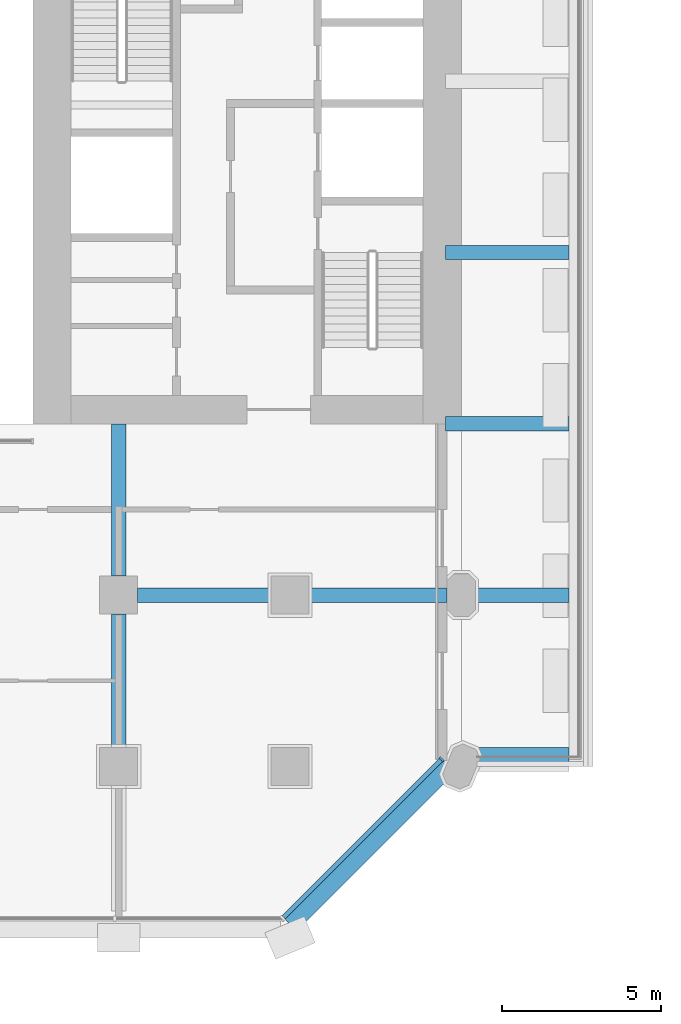
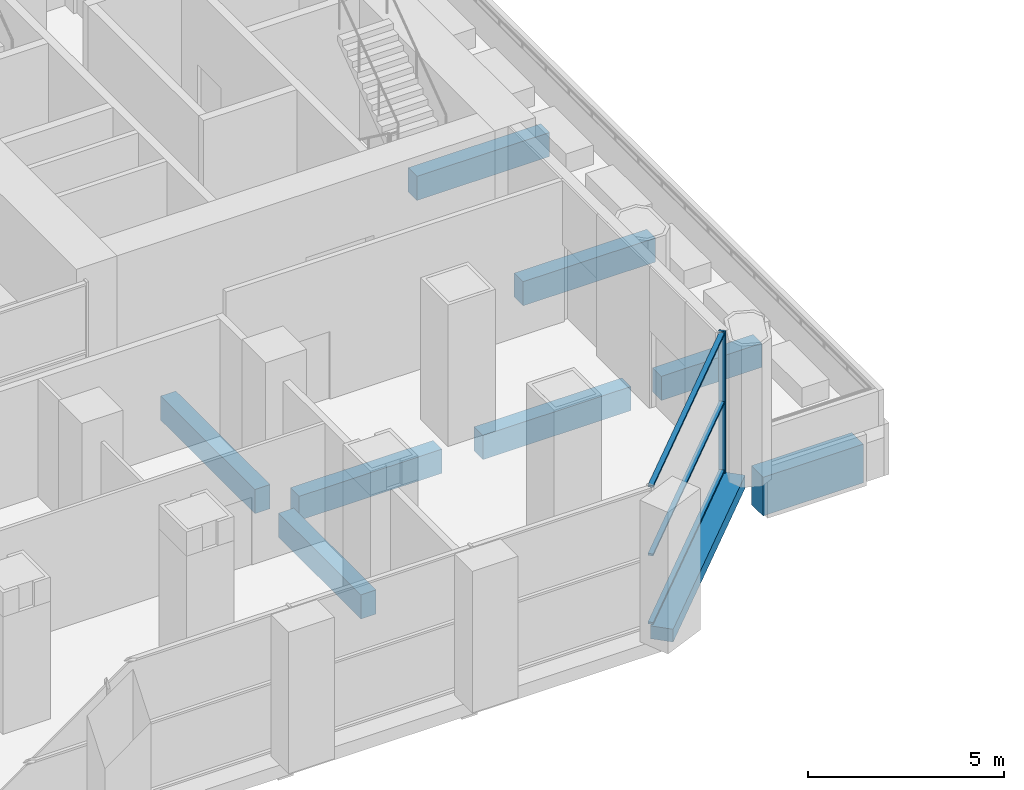
# One storey, part 6 of 42: 9 beams, 4 members, 1 element without a shape of its own.
"""IFC4 building model written with IfcOpenShell, lengths in metres."""

from ifc_helpers import new_model, si_unit, direction, frame, origin, origin_2d, place, context, subcontext, project, spatial, rectangle, extrude, material, material_profile, profile_set, type_object, element, aggregate, save


model = new_model("IFC4")

# Units and contexts
model_context = context("Model", 3, precision=1e-05, world=origin(), true_north=direction((0.0, 1.0)))
body_context = subcontext(model_context, "Body", "Model", "MODEL_VIEW")
ifc_project = project(units=[si_unit("LENGTHUNIT", "METRE"), si_unit("AREAUNIT", "SQUARE_METRE"), si_unit("VOLUMEUNIT", "CUBIC_METRE"), si_unit("PLANEANGLEUNIT", "RADIAN"), si_unit("MASSUNIT", "GRAM", prefix="KILO")], contexts=[model_context])

# Site, building, storey
site_placement = place(None, origin())
site = spatial("IfcSite", under=ifc_project, at=site_placement, CompositionType="ELEMENT")
building_placement = place(site_placement, origin())
building = spatial("IfcBuilding", under=site, at=building_placement, Name="Tabaq Tower and Sports Hall", CompositionType="ELEMENT")
storey_placement = place(building_placement, frame((0.0, 0.0, 19.800048828125)))
storey = spatial("IfcBuildingStorey", under=building, at=storey_placement, Name="L03", CompositionType="ELEMENT", Elevation=19.800048828125)

# Curtain wall, members
ifc_material_1 = material(Name="Aluminium alloy 6063-T6 framed glazing", Category="aluminium")
curtain_wall_type = type_object("IfcCurtainWallType", Name="CW7 curtain wall", PredefinedType="USERDEFINED", material=ifc_material_1)
curtain_wall_placement = place(storey_placement, origin())
curtain_wall = element("IfcCurtainWall", 1, at=curtain_wall_placement, inside=storey, type_object=curtain_wall_type, Name="Podium Wall L03 SE", ObjectType="PODIUM WALL", PredefinedType="USERDEFINED")
ifc_material_2 = material(Name="Aluminium alloy 6063-T6", Category="aluminium")
ifc_material_profile_1 = material_profile(ifc_material_2, rectangle(XDim=0.179931640625, YDim=0.06494140625, at=origin_2d()), Name="MULLION 180x65")
ifc_profile_set_1 = profile_set([ifc_material_profile_1], Name="Aluminium alloy 6063-T6")
member_type_1 = type_object("IfcMemberType", Name="CW7 mullion 180x65", PredefinedType="MULLION", material=ifc_profile_set_1)
member_1_placement = place(storey_placement, frame((42.576904296875, 5.62548828125, 0.0), z_axis=(0.0, 0.0, 1.0), x_axis=(-0.707106781187, 0.707106781187, 0.0)))
member_1 = element("IfcMember", 2, at=member_1_placement, type_object=member_type_1, Name="CW7 mullion 2", PredefinedType="MULLION", context=body_context, shape_type="SweptSolid", body=[
    extrude(rectangle(XDim=0.179931640625, YDim=0.06494140625, at=origin_2d()), origin(), (0.0, 0.0, 1.0), 4.39990234375),
])
ifc_material_3 = material(Name="Aluminium alloy 6063-T6", Category="aluminium")
ifc_material_profile_2 = material_profile(ifc_material_3, rectangle(XDim=0.139892578125, YDim=0.06494140625, at=origin_2d()), Name="TRANSOM 140x65")
ifc_profile_set_2 = profile_set([ifc_material_profile_2], Name="Aluminium alloy 6063-T6")
member_type_2 = type_object("IfcMemberType", Name="CW7 transom 140x65", PredefinedType="USERDEFINED", material=ifc_profile_set_2)
member_2_placement = place(storey_placement, frame((37.597412109375, 0.64599609375, 0.070068359375), z_axis=(0.707106781187, 0.707106781187, 0.0), x_axis=(-0.707106781187, 0.707106781187, 0.0)))
member_2 = element("IfcMember", 3, at=member_2_placement, type_object=member_type_2, Name="CW7 transom 1.1", ObjectType="TRANSOM", PredefinedType="USERDEFINED", context=body_context, shape_type="SweptSolid", body=[
    extrude(rectangle(XDim=0.139892578125, YDim=0.06494140625, at=origin_2d()), origin(), (0.0, 0.0, 1.0), 7.009521484375),
])
member_3_placement = place(storey_placement, frame((37.597412109375, 0.64599609375, 2.199951171875), z_axis=(0.707106781187, 0.707106781187, 0.0), x_axis=(-0.707106781187, 0.707106781187, 0.0)))
member_3 = element("IfcMember", 4, at=member_3_placement, type_object=member_type_2, Name="CW7 transom 1.2", ObjectType="TRANSOM", PredefinedType="USERDEFINED", context=body_context, shape_type="SweptSolid", body=[
    extrude(rectangle(XDim=0.139892578125, YDim=0.06494140625, at=origin_2d()), origin(), (0.0, 0.0, 1.0), 7.009521484375),
])
member_4_placement = place(storey_placement, frame((37.597412109375, 0.64599609375, 4.329833984375), z_axis=(0.707106781187, 0.707106781187, 0.0), x_axis=(-0.707106781187, 0.707106781187, 0.0)))
member_4 = element("IfcMember", 5, at=member_4_placement, type_object=member_type_2, Name="CW7 transom 1.3", ObjectType="TRANSOM", PredefinedType="USERDEFINED", context=body_context, shape_type="SweptSolid", body=[
    extrude(rectangle(XDim=0.139892578125, YDim=0.06494140625, at=origin_2d()), origin(), (0.0, 0.0, 1.0), 7.009521484375),
])
aggregate(curtain_wall, [member_1, member_2, member_3, member_4])

# Beams
ifc_material_4 = material(Name="Concrete C40/50", Category="concrete")
ifc_material_profile_3 = material_profile(ifc_material_4, rectangle(XDim=0.60009765625, YDim=1.199951171875, at=origin_2d()), Name="EBT 600x1200")
ifc_profile_set_3 = profile_set([ifc_material_profile_3], Name="Concrete C40/50")
beam_type_1 = type_object("IfcBeamType", Name="Concrete C40/50 PT edge band EBT 600x1200", PredefinedType="BEAM", material=ifc_profile_set_3)
beam_1_placement = place(storey_placement, frame((43.64990234375, 5.699951171875, -1.0), z_axis=(1.0, 0.0, 0.0), x_axis=(0.0, 1.0, 0.0)))
element("IfcBeam", 6, at=beam_1_placement, inside=storey, type_object=beam_type_1, Name="Tray edge band L03", PredefinedType="BEAM", context=body_context, shape_type="SweptSolid", body=[
    extrude(rectangle(XDim=0.60009765625, YDim=1.199951171875, at=origin_2d()), origin(), (0.0, 0.0, 1.0), 2.9501953125),
])
ifc_material_5 = material(Name="Concrete C40/50", Category="concrete")
ifc_material_profile_4 = material_profile(ifc_material_5, rectangle(XDim=0.449951171875, YDim=0.75, at=origin_2d()), Name="CB 450x750")
ifc_profile_set_4 = profile_set([ifc_material_profile_4], Name="Concrete C40/50")
beam_type_2 = type_object("IfcBeamType", Name="PT CANTILEVER BEAM CB 450x750 C40/50", PredefinedType="BEAM", material=ifc_profile_set_4)
beam_2_placement = place(storey_placement, frame((32.39990234375, 6.0, -0.775146484375), z_axis=(0.0, 1.0, 0.0), x_axis=(-1.0, 0.0, 0.0)))
element("IfcBeam", 7, at=beam_2_placement, inside=storey, type_object=beam_type_2, Name="Cantilever Beam L03 S6 span 2", PredefinedType="BEAM", context=body_context, shape_type="SweptSolid", body=[
    extrude(rectangle(XDim=0.449951171875, YDim=0.75, at=origin_2d()), origin(), (0.0, 0.0, 1.0), 4.199951171875),
])
beam_3_placement = place(storey_placement, frame((32.39990234375, 11.39990234375, -0.775146484375), z_axis=(0.0, 1.0, 0.0), x_axis=(-1.0, 0.0, 0.0)))
element("IfcBeam", 8, at=beam_3_placement, inside=storey, type_object=beam_type_2, Name="Cantilever Beam L03 S6 span 3", PredefinedType="BEAM", context=body_context, shape_type="SweptSolid", body=[
    extrude(rectangle(XDim=0.449951171875, YDim=0.75, at=origin_2d()), origin(), (0.0, 0.0, 1.0), 4.800048828125),
])
beam_4_placement = place(storey_placement, frame((46.60009765625, 10.800048828125, -0.775146484375), z_axis=(-1.0, 0.0, 0.0), x_axis=(0.0, -1.0, 0.0)))
element("IfcBeam", 9, at=beam_4_placement, inside=storey, type_object=beam_type_2, Name="Tray Cantilever Beam L03 T1 span 1", PredefinedType="BEAM", context=body_context, shape_type="SweptSolid", body=[
    extrude(rectangle(XDim=0.449951171875, YDim=0.75, at=origin_2d()), origin(), (0.0, 0.0, 1.0), 2.9501953125),
])
beam_5_placement = place(storey_placement, frame((42.75, 10.800048828125, -0.775146484375), z_axis=(-1.0, 0.0, 0.0), x_axis=(0.0, -1.0, 0.0)))
element("IfcBeam", 10, at=beam_5_placement, inside=storey, type_object=beam_type_2, Name="Tray Cantilever Beam L03 T1 span 2", PredefinedType="BEAM", context=body_context, shape_type="SweptSolid", body=[
    extrude(rectangle(XDim=0.449951171875, YDim=0.75, at=origin_2d()), origin(), (0.0, 0.0, 1.0), 4.35009765625),
])
beam_6_placement = place(storey_placement, frame((37.199951171875, 10.800048828125, -0.775146484375), z_axis=(-1.0, 0.0, 0.0), x_axis=(0.0, -1.0, 0.0)))
element("IfcBeam", 11, at=beam_6_placement, inside=storey, type_object=beam_type_2, Name="Tray Cantilever Beam L03 T1 span 3", PredefinedType="BEAM", context=body_context, shape_type="SweptSolid", body=[
    extrude(rectangle(XDim=0.449951171875, YDim=0.75, at=origin_2d()), origin(), (0.0, 0.0, 1.0), 4.199951171875),
])
for number, where, z_axis, x_axis, name in (
    (12, (46.60009765625, 16.199951171875, -0.775146484375), (-1.0, 0.0, 0.0), (0.0, -1.0, 0.0), "Tray Cantilever Beam L03 T2 span 1"),
    (13, (46.60009765625, 21.60009765625, -0.775146484375), (-1.0, 0.0, 0.0), (0.0, -1.0, 0.0), "Tray Cantilever Beam L03 T3 span 1"),
):
    element("IfcBeam", number, at=place(storey_placement, frame(where, z_axis=z_axis, x_axis=x_axis)), inside=storey, type_object=beam_type_2, Name=name, PredefinedType="BEAM", context=body_context, shape_type="SweptSolid", body=[
        extrude(rectangle(XDim=0.449951171875, YDim=0.75, at=origin_2d()), origin(), (0.0, 0.0, 1.0), 3.900146484375),
    ])
ifc_material_6 = material(Name="Concrete C40/50", Category="concrete")
ifc_material_profile_5 = material_profile(ifc_material_6, rectangle(XDim=0.60009765625, YDim=0.39990234375, at=origin_2d()), Name="EB 600x400")
ifc_profile_set_5 = profile_set([ifc_material_profile_5], Name="Concrete C40/50")
beam_type_3 = type_object("IfcBeamType", Name="PT EDGE BEAM EB 600x400 C40/50", PredefinedType="SPANDREL", material=ifc_profile_set_5)
beam_7_placement = place(storey_placement, frame((37.799072265625, 0.42333984375, -0.199951171875), z_axis=(0.707106781187, 0.707106781187, 0.0), x_axis=(-0.707106781187, 0.707106781187, 0.0)))
element("IfcBeam", 14, at=beam_7_placement, inside=storey, type_object=beam_type_3, Name="Edge Beam L03 2", PredefinedType="SPANDREL", context=body_context, shape_type="SweptSolid", body=[
    extrude(rectangle(XDim=0.60009765625, YDim=0.39990234375, at=origin_2d()), origin(), (0.0, 0.0, 1.0), 7.087890625),
])

save(model, "model.ifc")
